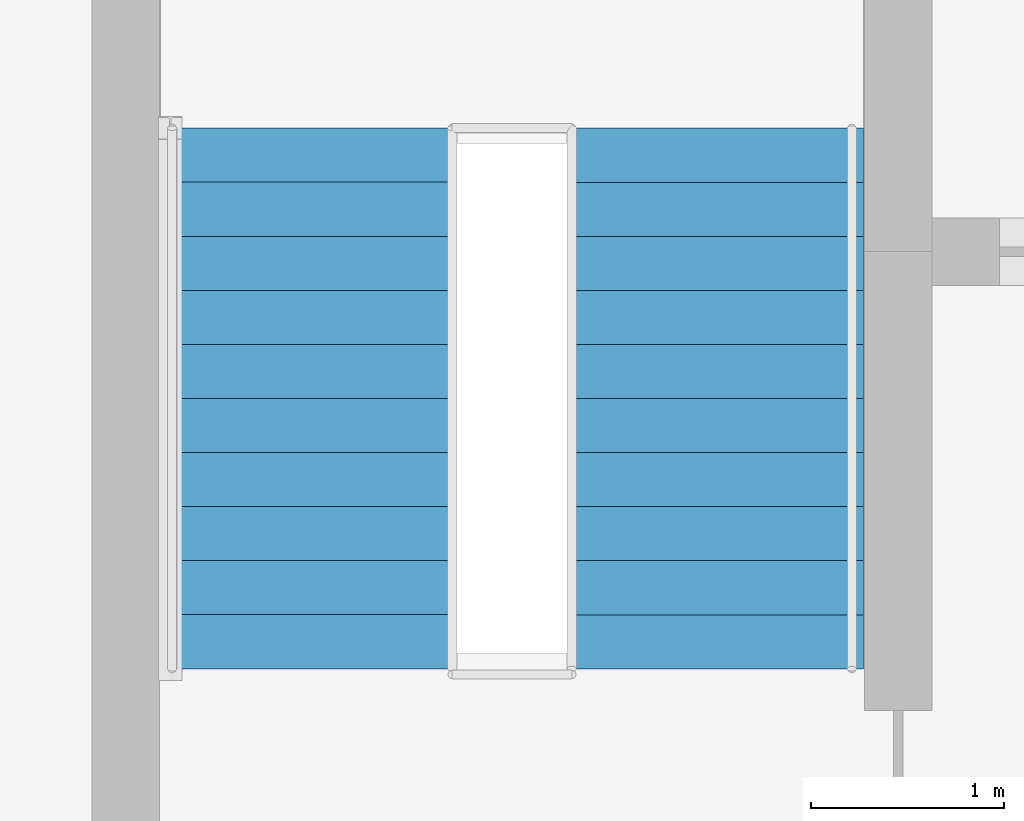
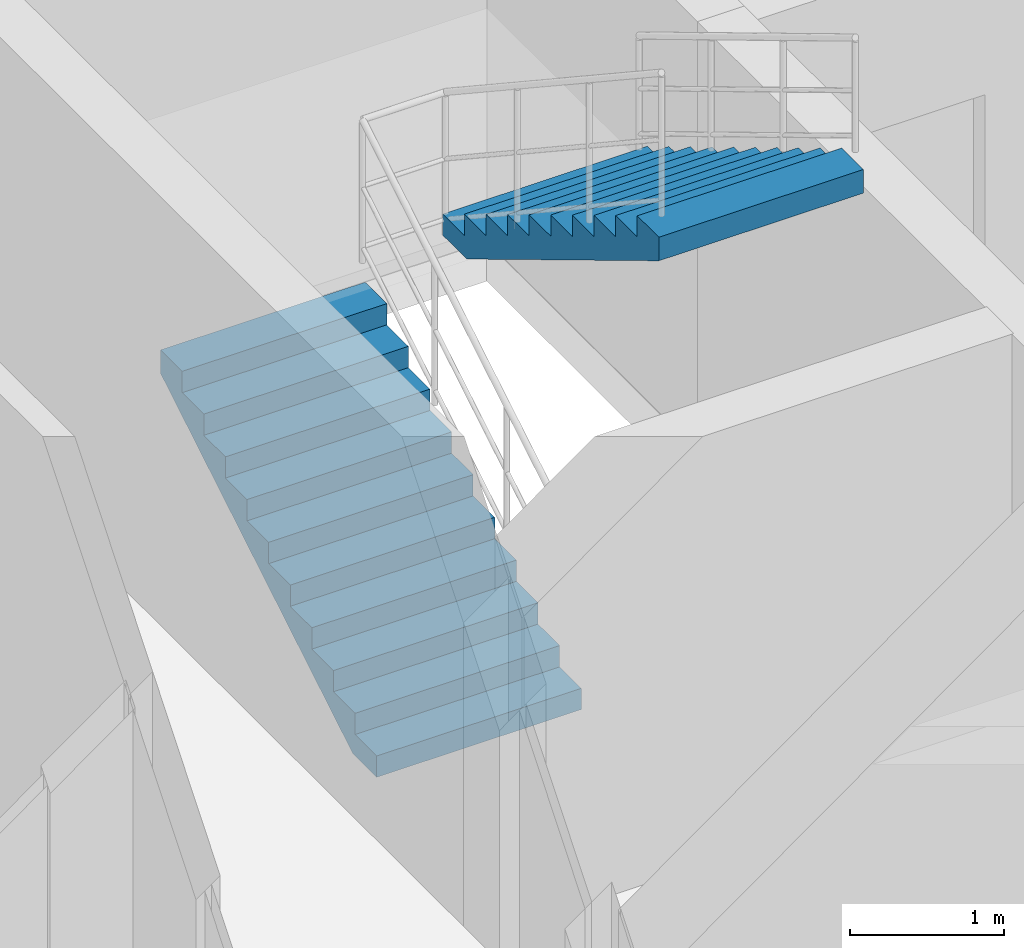
# One storey, part 27 of 28: 2 stair flights, 1 element without a shape of its own.
"""IFC4 building model written with IfcOpenShell, lengths in metres."""

import ifcopenshell
import ifcopenshell.guid

model = None  # the IFC model being written
_history = None  # IfcOwnerHistory: only IFC2X3 demands one
_inside = {}  # id of a spatial element -> (the spatial element, [elements in it])
_under = {}  # id of a project, library or spatial element -> (it, [spatial elements below it])
_declared = {}  # id of a project -> (the project, [libraries it declares])
_typed = {}  # id of a type object -> (the type object, [elements of that type])
_made_of = {}  # id of a material, layer set ... -> (it, [elements and type objects made of it])


def new_model(schema):
    """Start an empty IFC model of exactly this schema.

    Asked for "IFC4X3", IfcOpenShell would pick the latest addendum, in which some entities
    have other attributes; the version numbers below select the first issue.
    IFC2X3 requires an IfcOwnerHistory on every rooted entity: one is made here for all.
    """
    global model, _history
    if schema == "IFC4X3":
        model = ifcopenshell.file(schema_version=(4, 3, 0, 0))
    else:
        model = ifcopenshell.file(schema=schema)
    _inside.clear()
    _under.clear()
    _declared.clear()
    _typed.clear()
    _made_of.clear()
    _history = None
    if model.schema == "IFC2X3":
        org = make("IfcOrganization", Name="unknown")
        user = make(
            "IfcPersonAndOrganization",
            ThePerson=make("IfcPerson", FamilyName="unknown"),
            TheOrganization=org,
        )
        app = make(
            "IfcApplication",
            ApplicationDeveloper=org,
            Version="unknown",
            ApplicationFullName="unknown",
            ApplicationIdentifier="unknown",
        )
        _history = make(
            "IfcOwnerHistory",
            OwningUser=user,
            OwningApplication=app,
            ChangeAction="ADDED",
            CreationDate=0,
        )
    return model


def make(cls, **values):
    """One entity of the class cls with the attributes given. An attribute that is None is left unset."""
    return model.create_entity(
        cls, **{name: value for name, value in values.items() if value is not None}
    )


def rooted(cls, **values):
    """An entity with a GlobalId (a new one), such as an element, a storey or a relation."""
    return make(cls, GlobalId=ifcopenshell.guid.new(), OwnerHistory=_history, **values)


def si_unit(unit_type, name, prefix=None):
    """IfcSIUnit, for example si_unit("LENGTHUNIT", "METRE", prefix="MILLI")."""
    return make("IfcSIUnit", UnitType=unit_type, Prefix=prefix, Name=name)


def assignment(units):
    """IfcUnitAssignment: the units of a project."""
    return None if units is None else make("IfcUnitAssignment", Units=units)


def point(xyz):
    """IfcCartesianPoint."""
    return None if xyz is None else make("IfcCartesianPoint", Coordinates=xyz)


def direction(xyz):
    """IfcDirection."""
    return None if xyz is None else make("IfcDirection", DirectionRatios=xyz)


def frame(location, z_axis=None, x_axis=None):
    """IfcAxis2Placement3D, a coordinate frame: its origin and axes. An axis left out is left unset."""
    return make(
        "IfcAxis2Placement3D",
        Location=point(location),
        Axis=direction(z_axis),
        RefDirection=direction(x_axis),
    )


def origin():
    """The frame at (0, 0, 0) with its axes left unset."""
    return frame((0.0, 0.0, 0.0))


def place(relative_to, where):
    """IfcLocalPlacement: puts the frame where relative to a parent placement (None: the world)."""
    return make(
        "IfcLocalPlacement", PlacementRelTo=relative_to, RelativePlacement=where
    )


def context(
    kind, dimensions, precision=None, world=None, true_north=None, identifier=None
):
    """IfcGeometricRepresentationContext, for example the 3D "Model" context."""
    return make(
        "IfcGeometricRepresentationContext",
        ContextIdentifier=identifier,
        ContextType=kind,
        CoordinateSpaceDimension=dimensions,
        Precision=precision,
        WorldCoordinateSystem=world,
        TrueNorth=true_north,
    )


def subcontext(parent, identifier, kind, view, scale=None):
    """IfcGeometricRepresentationSubContext, for example "Body" below "Model"."""
    return make(
        "IfcGeometricRepresentationSubContext",
        ContextIdentifier=identifier,
        ContextType=kind,
        ParentContext=parent,
        TargetScale=scale,
        TargetView=view,
    )


def project(units=None, contexts=None):
    """IfcProject with its units and contexts."""
    return rooted(
        "IfcProject",
        Name="project",
        RepresentationContexts=contexts,
        UnitsInContext=assignment(units),
    )


def spatial(cls, under=None, at=None, **own):
    """A site, building, storey or space (cls), placed at a placement, below another one or the project."""
    s = rooted(cls, ObjectPlacement=at, **own)
    if under is not None:
        _under.setdefault(under.id(), (under, []))[1].append(s)
    return s


def polyline(points):
    """IfcPolyline through the points."""
    return make("IfcPolyline", Points=[point(p) for p in points])


def outline(outer, holes=None, kind="AREA"):
    """IfcArbitraryClosedProfileDef: a profile drawn as a closed curve; with holes, ...WithVoids."""
    if holes is None:
        return make("IfcArbitraryClosedProfileDef", ProfileType=kind, OuterCurve=outer)
    return make(
        "IfcArbitraryProfileDefWithVoids",
        ProfileType=kind,
        OuterCurve=outer,
        InnerCurves=holes,
    )


def extrude(swept, where, along, depth):
    """IfcExtrudedAreaSolid: the profile swept, set in the frame where, extruded along a direction by depth."""
    return make(
        "IfcExtrudedAreaSolid",
        SweptArea=swept,
        Position=where,
        ExtrudedDirection=direction(along),
        Depth=depth,
    )


def shape(context_of_items, identifier, shape_type, items):
    """IfcShapeRepresentation: the items that make up one representation, for example the "Body"."""
    return make(
        "IfcShapeRepresentation",
        ContextOfItems=context_of_items,
        RepresentationIdentifier=identifier,
        RepresentationType=shape_type,
        Items=items,
    )


def material(Name=None, Category=None):
    """IfcMaterial."""
    return make("IfcMaterial", Name=Name, Category=Category)


def made_of(thing, what):
    """Note that an element or type object is made of a material, layer set ...; save() writes the relation."""
    if what is not None:
        _made_of.setdefault(what.id(), (what, []))[1].append(thing)
    return thing


def type_object(cls, material=None, **own):
    """A type object (cls), such as IfcWallType, which elements share."""
    return made_of(rooted(cls, **own), material)


def element(
    cls,
    number,
    at=None,
    inside=None,
    cuts=None,
    type_object=None,
    material=None,
    context=None,
    identifier="Body",
    shape_type=None,
    held_by="IfcProductDefinitionShape",
    body=None,
    shapes=None,
    **own,
):
    """One element of the class cls, such as IfcWall. Its Tag is "e" and its number.

    at: its placement. inside: the storey or other place that contains it. cuts: it is an
    opening in that element (IfcRelVoidsElement). A single representation is given by context,
    identifier, shape_type and body (its items); several are given by shapes. held_by: the class
    of the entity that holds the representations. save() writes the other relations.
    """
    e = rooted(cls, Tag="e%d" % number, ObjectPlacement=at, **own)
    if body is not None:
        shapes = [shape(context, identifier, shape_type, body)]
    if shapes is not None:
        e.Representation = make(held_by, Representations=shapes)
    if inside is not None:
        _inside.setdefault(inside.id(), (inside, []))[1].append(e)
    if cuts is not None:
        rooted(
            "IfcRelVoidsElement", RelatingBuildingElement=cuts, RelatedOpeningElement=e
        )
    if type_object is not None:
        _typed.setdefault(type_object.id(), (type_object, []))[1].append(e)
    return made_of(e, material)


def aggregate(whole, parts):
    """IfcRelAggregates: a whole, such as a stair, and the parts it consists of."""
    return rooted("IfcRelAggregates", RelatingObject=whole, RelatedObjects=parts)


def save(model, path):
    """Write the relations noted so far, then the file.

    IfcRelAggregates (storeys below a building ...), IfcRelContainedInSpatialStructure (elements
    in a storey), IfcRelDefinesByType, IfcRelAssociatesMaterial and IfcRelDeclares: one each for
    every whole, place, type object, material and project.
    """
    for whole, parts in _under.values():
        aggregate(whole, parts)
    for where, things in _inside.values():
        rooted(
            "IfcRelContainedInSpatialStructure",
            RelatedElements=things,
            RelatingStructure=where,
        )
    for kind, things in _typed.values():
        rooted("IfcRelDefinesByType", RelatedObjects=things, RelatingType=kind)
    for what, things in _made_of.values():
        rooted("IfcRelAssociatesMaterial", RelatedObjects=things, RelatingMaterial=what)
    for by, libraries in _declared.values():
        rooted("IfcRelDeclares", RelatingContext=by, RelatedDefinitions=libraries)
    model.write(path)


model = new_model("IFC4")

# Units and contexts
model_context = context("Model", 3, precision=1e-05, world=origin(), true_north=direction((0.0, 1.0)))
body_context = subcontext(model_context, "Body", "Model", "MODEL_VIEW")
ifc_project = project(units=[si_unit("LENGTHUNIT", "METRE"), si_unit("AREAUNIT", "SQUARE_METRE"), si_unit("VOLUMEUNIT", "CUBIC_METRE"), si_unit("PLANEANGLEUNIT", "RADIAN"), si_unit("MASSUNIT", "GRAM", prefix="KILO")], contexts=[model_context])

# Site, building, storey
site_placement = place(None, origin())
site = spatial("IfcSite", under=ifc_project, at=site_placement, CompositionType="ELEMENT")
building_placement = place(site_placement, origin())
building = spatial("IfcBuilding", under=site, at=building_placement, Name="Keshet Zoharim Tower", CompositionType="ELEMENT")
storey_placement = place(building_placement, frame((0.0, 0.0, 303.60009765625)))
storey = spatial("IfcBuildingStorey", under=building, at=storey_placement, Name="L76", CompositionType="ELEMENT", Elevation=303.60009765625)

# Stair, stair flights
ifc_material = material(Name="Concrete C50/60", Category="concrete")
stair_type = type_object("IfcStairType", Name="STR-EXIT-135", PredefinedType="HALF_TURN_STAIR", material=ifc_material)
stair_placement = place(storey_placement, origin())
stair = element("IfcStair", 1, at=stair_placement, inside=storey, type_object=stair_type, Name="L76 Enclosed Exit Stair ST-02", PredefinedType="HALF_TURN_STAIR")
stair_flight_type = type_object("IfcStairFlightType", Name="FLT-PRE-135", PredefinedType="STRAIGHT", material=ifc_material)
stair_flight_1_placement = place(storey_placement, frame((15.945068359375, 32.840087890625, 0.0), z_axis=(0.0, 0.0, 1.0), x_axis=(0.0, 1.0, 0.0)))
stair_flight_1 = element("IfcStairFlight", 2, at=stair_flight_1_placement, type_object=stair_flight_type, Name="ST-02 flight 1", NumberOfRisers=11, NumberOfTreads=10, PredefinedType="STRAIGHT", RiserHeight=0.168182, TreadLength=0.28, context=body_context, shape_type="SweptSolid", body=[
    extrude(outline(polyline([(0.0, 0.0), (0.0, 0.168212890625), (0.280029296875, 0.168212890625), (0.280029296875, 0.33642578125), (0.56005859375, 0.33642578125), (0.56005859375, 0.504638671875), (0.840087890625, 0.504638671875), (0.840087890625, 0.672607421875), (1.1201171875, 0.672607421875), (1.1201171875, 0.8408203125), (1.39990234375, 0.8408203125), (1.39990234375, 1.009033203125), (1.679931640625, 1.009033203125), (1.679931640625, 1.17724609375), (1.9599609375, 1.17724609375), (1.9599609375, 1.345458984375), (2.239990234375, 1.345458984375), (2.239990234375, 1.513671875), (2.52001953125, 1.513671875), (2.52001953125, 1.681884765625), (2.800048828125, 1.681884765625), (2.800048828125, 1.85009765625), (2.800048828125, 1.495361328125), (0.310546875, 0.0), (0.0, 0.0)])), frame((0.0, 0.76513671875, 0.0), z_axis=(0.0, -1.0, 0.0), x_axis=(1.0, 0.0, 0.0)), (0.0, 0.0, 1.0), 1.530029296875),
])
stair_flight_2_placement = place(storey_placement, frame((18.054931640625, 35.639892578125, 1.849853515625), z_axis=(0.0, 0.0, 1.0), x_axis=(0.0, -1.0, 0.0)))
stair_flight_2 = element("IfcStairFlight", 3, at=stair_flight_2_placement, type_object=stair_flight_type, Name="ST-02 flight 2", NumberOfRisers=11, NumberOfTreads=10, PredefinedType="STRAIGHT", RiserHeight=0.168182, TreadLength=0.28, context=body_context, shape_type="SweptSolid", body=[
    extrude(outline(polyline([(0.0, 0.0), (0.0, 0.168212890625), (0.280029296875, 0.168212890625), (0.280029296875, 0.33642578125), (0.56005859375, 0.33642578125), (0.56005859375, 0.504638671875), (0.840087890625, 0.504638671875), (0.840087890625, 0.672607421875), (1.1201171875, 0.672607421875), (1.1201171875, 0.8408203125), (1.39990234375, 0.8408203125), (1.39990234375, 1.009033203125), (1.679931640625, 1.009033203125), (1.679931640625, 1.17724609375), (1.9599609375, 1.17724609375), (1.9599609375, 1.345458984375), (2.239990234375, 1.345458984375), (2.239990234375, 1.513671875), (2.52001953125, 1.513671875), (2.52001953125, 1.681884765625), (2.800048828125, 1.681884765625), (2.800048828125, 1.85009765625), (2.800048828125, 1.495361328125), (0.310546875, 0.0), (0.0, 0.0)])), frame((0.0, 0.76513671875, 0.0), z_axis=(0.0, -1.0, 0.0), x_axis=(1.0, 0.0, 0.0)), (0.0, 0.0, 1.0), 1.530029296875),
])
aggregate(stair, [stair_flight_1, stair_flight_2])

save(model, "model.ifc")
